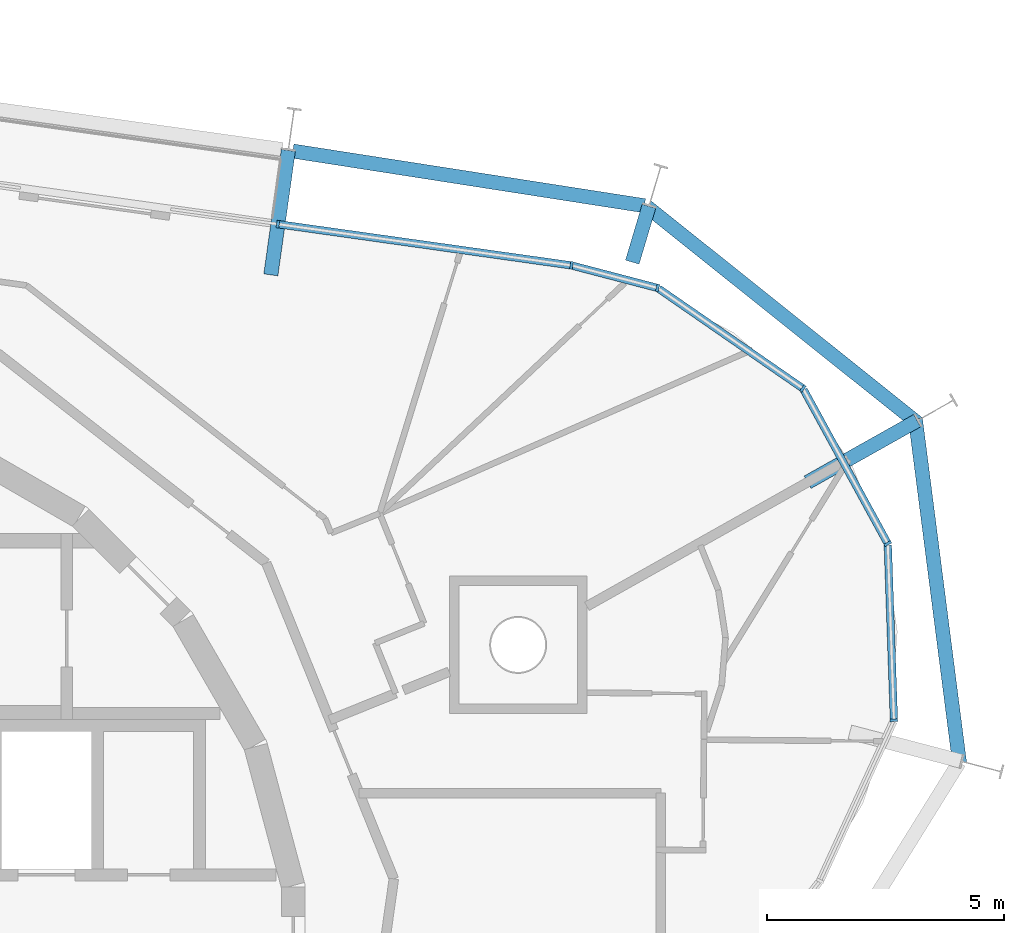
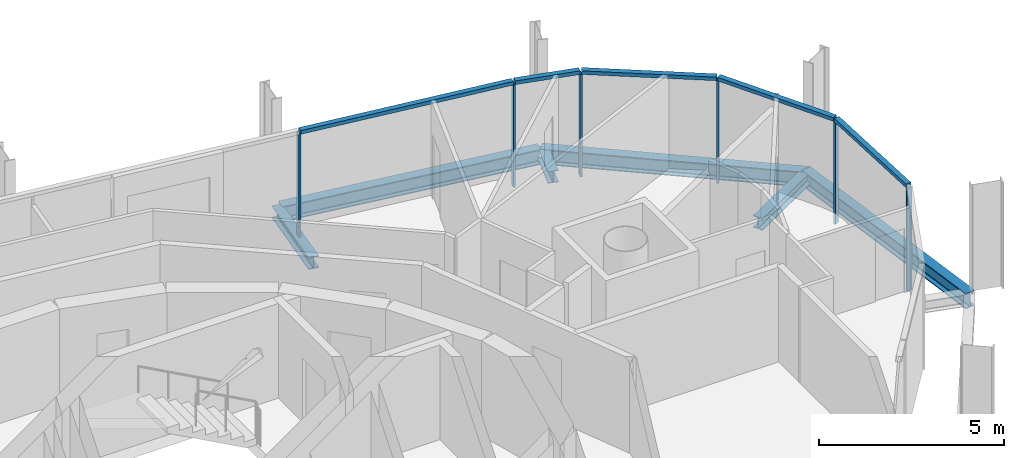
# One storey, part 7 of 15: 11 members, 6 beams, 2 elements without a shape of their own.
"""IFC4 building model written with IfcOpenShell, lengths in metres."""

from ifc_helpers import new_model, si_unit, direction, frame, origin, origin_2d, place, context, subcontext, project, spatial, rectangle, i_section, extrude, material, layer, layer_set, material_profile, profile_set, type_object, element, aggregate, save


model = new_model("IFC4")

# Units and contexts
model_context = context("Model", 3, precision=1e-05, world=origin(), true_north=direction((0.0, 1.0)))
body_context = subcontext(model_context, "Body", "Model", "MODEL_VIEW")
ifc_project = project(units=[si_unit("LENGTHUNIT", "METRE"), si_unit("AREAUNIT", "SQUARE_METRE"), si_unit("VOLUMEUNIT", "CUBIC_METRE"), si_unit("PLANEANGLEUNIT", "RADIAN"), si_unit("MASSUNIT", "GRAM", prefix="KILO")], contexts=[model_context])

# Site, building, storey
site_placement = place(None, origin())
site = spatial("IfcSite", under=ifc_project, at=site_placement, CompositionType="ELEMENT")
building_placement = place(site_placement, origin())
building = spatial("IfcBuilding", under=site, at=building_placement, Name="Spindle Arch Residences", CompositionType="ELEMENT")
storey_placement = place(building_placement, frame((0.0, 0.0, 336.5)))
storey = spatial("IfcBuildingStorey", under=building, at=storey_placement, Name="L86", CompositionType="ELEMENT", Elevation=336.5)

# Curtain wall, members
ifc_material_1 = material(Name="Aluminium bronze unitised frame with tinted glass", Category="aluminium")
ifc_layer_1 = layer(ifc_material_1, 0.159912109375)
ifc_layer_set_1 = layer_set([ifc_layer_1], Name="CW-D corner wall on the fillet arcs")
curtain_wall_type_1 = type_object("IfcCurtainWallType", Name="CW-D corner wall on the fillet arcs", PredefinedType="NOTDEFINED", material=ifc_layer_set_1)
curtain_wall_1_placement = place(storey_placement, origin())
curtain_wall_1 = element("IfcCurtainWall", 1, at=curtain_wall_1_placement, inside=storey, type_object=curtain_wall_type_1, Name="CW-D L86 run 1", PredefinedType="NOTDEFINED")
ifc_material_2 = material(Name="Aluminium bronze anodised mullion", Category="aluminium")
ifc_material_profile_1 = material_profile(ifc_material_2, rectangle(XDim=0.159912109375, YDim=0.06005859375, at=origin_2d()), Name="MU 60x160")
ifc_profile_set_1 = profile_set([ifc_material_profile_1], Name="Aluminium bronze anodised mullion")
member_type_1 = type_object("IfcMemberType", Name="Bronze mullion 60x160", PredefinedType="MULLION", material=ifc_profile_set_1)
member_1_placement = place(storey_placement, frame((24.31201171875, 5.033935546875, -0.3798828125), z_axis=(0.0, 0.0, 1.0), x_axis=(-0.999390827004, -0.034899497139, 0.0)))
member_1 = element("IfcMember", 2, at=member_1_placement, type_object=member_type_1, Name="CW-D mullion 02", PredefinedType="MULLION", context=body_context, shape_type="SweptSolid", body=[
    extrude(rectangle(XDim=0.159912109375, YDim=0.06005859375, at=origin_2d()), origin(), (0.0, 0.0, 1.0), 3.3798828125),
])
member_2_placement = place(storey_placement, frame((24.18212890625, 8.758544921875, -0.3798828125), z_axis=(0.0, 0.0, 1.0), x_axis=(-0.877425397533, -0.479713114021, 0.0)))
member_2 = element("IfcMember", 3, at=member_2_placement, type_object=member_type_1, Name="CW-D mullion 03", PredefinedType="MULLION", context=body_context, shape_type="SweptSolid", body=[
    extrude(rectangle(XDim=0.159912109375, YDim=0.06005859375, at=origin_2d()), origin(), (0.0, 0.0, 1.0), 3.3798828125),
])
member_3_placement = place(storey_placement, frame((22.394287109375, 12.0283203125, -0.3798828125), z_axis=(0.0, 0.0, 1.0), x_axis=(-0.568801123739, -0.822475094841, 0.0)))
member_3 = element("IfcMember", 4, at=member_3_placement, type_object=member_type_1, Name="CW-D mullion 04", PredefinedType="MULLION", context=body_context, shape_type="SweptSolid", body=[
    extrude(rectangle(XDim=0.159912109375, YDim=0.06005859375, at=origin_2d()), origin(), (0.0, 0.0, 1.0), 3.3798828125),
])
member_4_placement = place(storey_placement, frame((19.3291015625, 14.148193359375, -0.3798828125), z_axis=(0.0, 0.0, 1.0), x_axis=(-0.25319517245, -0.967415218326, 0.0)))
member_4 = element("IfcMember", 5, at=member_4_placement, type_object=member_type_1, Name="CW-D mullion 05", PredefinedType="MULLION", context=body_context, shape_type="SweptSolid", body=[
    extrude(rectangle(XDim=0.159912109375, YDim=0.06005859375, at=origin_2d()), origin(), (0.0, 0.0, 1.0), 3.3798828125),
])
member_5_placement = place(storey_placement, frame((17.51416015625, 14.623291015625, -0.3798828125), z_axis=(0.0, 0.0, 1.0), x_axis=(-0.13917310096, -0.990268068742, 0.0)))
member_5 = element("IfcMember", 6, at=member_5_placement, type_object=member_type_1, Name="CW-D mullion 06", PredefinedType="MULLION", context=body_context, shape_type="SweptSolid", body=[
    extrude(rectangle(XDim=0.159912109375, YDim=0.06005859375, at=origin_2d()), origin(), (0.0, 0.0, 1.0), 3.3798828125),
])

# Curtain wall, member
ifc_material_3 = material(Name="Aluminium bronze unitised frame with tinted glass", Category="aluminium")
ifc_layer_2 = layer(ifc_material_3, 0.159912109375)
ifc_layer_set_2 = layer_set([ifc_layer_2], Name="CW-C typical residential unitised wall")
curtain_wall_type_2 = type_object("IfcCurtainWallType", Name="CW-C typical residential unitised wall", PredefinedType="NOTDEFINED", material=ifc_layer_set_2)
curtain_wall_2_placement = place(storey_placement, origin())
curtain_wall_2 = element("IfcCurtainWall", 7, at=curtain_wall_2_placement, inside=storey, type_object=curtain_wall_type_2, Name="CW-C L86 run 2", PredefinedType="NOTDEFINED")
member_6_placement = place(storey_placement, frame((11.326171875, 15.492919921875, -0.3798828125), z_axis=(0.0, 0.0, 1.0), x_axis=(-0.13917310096, -0.990268068742, 0.0)))
member_6 = element("IfcMember", 8, at=member_6_placement, type_object=member_type_1, Name="CW-C mullion 05", PredefinedType="MULLION", context=body_context, shape_type="SweptSolid", body=[
    extrude(rectangle(XDim=0.159912109375, YDim=0.06005859375, at=origin_2d()), origin(), (0.0, 0.0, 1.0), 3.3798828125),
])
aggregate(curtain_wall_2, [member_6])

# Member
ifc_material_4 = material(Name="Aluminium bronze anodised transom", Category="aluminium")
ifc_material_profile_2 = material_profile(ifc_material_4, rectangle(XDim=0.159912109375, YDim=0.1201171875, at=origin_2d()), Name="TR 120x160")
ifc_profile_set_2 = profile_set([ifc_material_profile_2], Name="Aluminium bronze anodised transom")
member_type_2 = type_object("IfcMemberType", Name="Bronze transom 120x160", PredefinedType="USERDEFINED", material=ifc_profile_set_2)
member_7_placement = place(storey_placement, frame((24.31103515625, 5.06396484375, 3.06005859375), z_axis=(-0.034888806725, 0.999391200264, 0.0), x_axis=(-0.999391200264, -0.034888806725, 0.0)))
member_7 = element("IfcMember", 9, at=member_7_placement, type_object=member_type_2, Name="CW-D transom 02", ObjectType="TRANSOM", PredefinedType="USERDEFINED", context=body_context, shape_type="SweptSolid", body=[
    extrude(rectangle(XDim=0.159912109375, YDim=0.1201171875, at=origin_2d()), origin(), (0.0, 0.0, 1.0), 3.666748046875),
])

member_8_placement = place(storey_placement, frame((24.167724609375, 8.784912109375, 3.06005859375), z_axis=(-0.479724247399, 0.877419310511, 0.0), x_axis=(-0.877419310511, -0.479724247399, 0.0)))
member_8 = element("IfcMember", 10, at=member_8_placement, type_object=member_type_2, Name="CW-D transom 03", ObjectType="TRANSOM", PredefinedType="USERDEFINED", context=body_context, shape_type="SweptSolid", body=[
    extrude(rectangle(XDim=0.159912109375, YDim=0.1201171875, at=origin_2d()), origin(), (0.0, 0.0, 1.0), 3.666748046875),
])

member_9_placement = place(storey_placement, frame((22.36962890625, 12.04541015625, 3.06005859375), z_axis=(-0.822474926174, 0.568801367628, 0.0), x_axis=(-0.568801367628, -0.822474926174, 0.0)))
member_9 = element("IfcMember", 11, at=member_9_placement, type_object=member_type_2, Name="CW-D transom 04", ObjectType="TRANSOM", PredefinedType="USERDEFINED", context=body_context, shape_type="SweptSolid", body=[
    extrude(rectangle(XDim=0.159912109375, YDim=0.1201171875, at=origin_2d()), origin(), (0.0, 0.0, 1.0), 3.666748046875),
])

member_10_placement = place(storey_placement, frame((19.300048828125, 14.15576171875, 3.06005859375), z_axis=(-0.96739418578, 0.253275520568, 0.0), x_axis=(-0.253275520568, -0.96739418578, 0.0)))
member_10 = element("IfcMember", 12, at=member_10_placement, type_object=member_type_2, Name="CW-D transom 05", ObjectType="TRANSOM", PredefinedType="USERDEFINED", context=body_context, shape_type="SweptSolid", body=[
    extrude(rectangle(XDim=0.159912109375, YDim=0.1201171875, at=origin_2d()), origin(), (0.0, 0.0, 1.0), 1.816162109375),
])

member_11_placement = place(storey_placement, frame((17.484375, 14.62744140625, 3.06005859375), z_axis=(-0.990267285989, 0.139178670423, 0.0), x_axis=(-0.139178670423, -0.990267285989, 0.0)))
member_11 = element("IfcMember", 13, at=member_11_placement, type_object=member_type_2, Name="CW-D transom 06", ObjectType="TRANSOM", PredefinedType="USERDEFINED", context=body_context, shape_type="SweptSolid", body=[
    extrude(rectangle(XDim=0.159912109375, YDim=0.1201171875, at=origin_2d()), origin(), (0.0, 0.0, 1.0), 6.188720703125),
])

aggregate(curtain_wall_1, [member_1, member_7, member_2, member_8, member_3, member_9, member_4, member_10, member_5, member_11])

# Beams
ifc_material_5 = material(Name="Steel S460ML, intumescent coating R 120", Category="steel")
ifc_material_profile_3 = material_profile(ifc_material_5, i_section(OverallWidth=0.300048828125, OverallDepth=0.5, WebThickness=0.014404296875, FlangeThickness=0.028076171875, FilletRadius=0.027099609375, at=origin_2d()), Name="HEB 500")
ifc_profile_set_3 = profile_set([ifc_material_profile_3], Name="Steel S460ML, intumescent coating R 120")
beam_type_1 = type_object("IfcBeamType", Name="Exoskeleton edge beam HEB 500", PredefinedType="BEAM", material=ifc_profile_set_3)
beam_1_placement = place(storey_placement, frame((25.69580078125, 4.128662109375, -0.6298828125), z_axis=(-0.127344466516, 0.991858551835, 0.0), x_axis=(-0.991858551835, -0.127344466516, 0.0)))
element("IfcBeam", 14, at=beam_1_placement, inside=storey, type_object=beam_type_1, Name="Exoskeleton edge beam 3", PredefinedType="BEAM", context=body_context, shape_type="SweptSolid", body=[
    extrude(i_section(OverallWidth=0.300048828125, OverallDepth=0.5, WebThickness=0.014404296875, FlangeThickness=0.028076171875, FilletRadius=0.027099609375, at=origin_2d()), origin(), (0.0, 0.0, 1.0), 7.31591796875),
])
beam_2_placement = place(storey_placement, frame((24.811279296875, 11.30078125, -0.6298828125), z_axis=(-0.781184527882, 0.624300194937, 0.0), x_axis=(-0.624300194937, -0.781184527882, 0.0)))
element("IfcBeam", 15, at=beam_2_placement, inside=storey, type_object=beam_type_1, Name="Exoskeleton edge beam 4", PredefinedType="BEAM", context=body_context, shape_type="SweptSolid", body=[
    extrude(i_section(OverallWidth=0.300048828125, OverallDepth=0.5, WebThickness=0.014404296875, FlangeThickness=0.028076171875, FilletRadius=0.027099609375, at=origin_2d()), origin(), (0.0, 0.0, 1.0), 7.315673828125),
])
beam_3_placement = place(storey_placement, frame((19.051513671875, 15.881103515625, -0.6298828125), z_axis=(-0.988123169285, 0.15366392655, 0.0), x_axis=(-0.15366392655, -0.988123169285, 0.0)))
element("IfcBeam", 16, at=beam_3_placement, inside=storey, type_object=beam_type_1, Name="Exoskeleton edge beam 5", PredefinedType="BEAM", context=body_context, shape_type="SweptSolid", body=[
    extrude(i_section(OverallWidth=0.300048828125, OverallDepth=0.5, WebThickness=0.014404296875, FlangeThickness=0.028076171875, FilletRadius=0.027099609375, at=origin_2d()), origin(), (0.0, 0.0, 1.0), 7.500732421875),
])
ifc_material_6 = material(Name="Steel S460ML, intumescent coating R 120", Category="steel")
ifc_material_profile_4 = material_profile(ifc_material_6, i_section(OverallWidth=0.300048828125, OverallDepth=0.389892578125, WebThickness=0.010986328125, FlangeThickness=0.01904296875, FilletRadius=0.027099609375, at=origin_2d()), Name="HEA 400")
ifc_profile_set_4 = profile_set([ifc_material_profile_4], Name="Steel S460ML, intumescent coating R 120")
beam_type_2 = type_object("IfcBeamType", Name="Floor outrigger HEA 400", PredefinedType="BEAM", material=ifc_profile_set_4)
beam_4_placement = place(storey_placement, frame((24.801513671875, 11.3505859375, -0.574951171875), z_axis=(-0.871686240554, -0.490064381514, 0.0), x_axis=(0.490064381514, -0.871686240554, 0.0)))
element("IfcBeam", 17, at=beam_4_placement, inside=storey, type_object=beam_type_2, Name="Floor outrigger 4", PredefinedType="BEAM", context=body_context, shape_type="SweptSolid", body=[
    extrude(i_section(OverallWidth=0.300048828125, OverallDepth=0.389892578125, WebThickness=0.010986328125, FlangeThickness=0.01904296875, FilletRadius=0.027099609375, at=origin_2d()), origin(), (0.0, 0.0, 1.0), 2.64990234375),
])
beam_5_placement = place(storey_placement, frame((19.147216796875, 15.869384765625, -0.574951171875), z_axis=(-0.285798722121, -0.958289669377, 0.0), x_axis=(0.958289669377, -0.285798722121, 0.0)))
element("IfcBeam", 18, at=beam_5_placement, inside=storey, type_object=beam_type_2, Name="Floor outrigger 5", PredefinedType="BEAM", context=body_context, shape_type="SweptSolid", body=[
    extrude(i_section(OverallWidth=0.300048828125, OverallDepth=0.389892578125, WebThickness=0.010986328125, FlangeThickness=0.01904296875, FilletRadius=0.027099609375, at=origin_2d()), origin(), (0.0, 0.0, 1.0), 1.229248046875),
])
beam_6_placement = place(storey_placement, frame((11.544921875, 17.047607421875, -0.574951171875), z_axis=(-0.1392026036, -0.990263921968, 0.0), x_axis=(0.990263921968, -0.1392026036, 0.0)))
element("IfcBeam", 19, at=beam_6_placement, inside=storey, type_object=beam_type_2, Name="Floor outrigger 6", PredefinedType="BEAM", context=body_context, shape_type="SweptSolid", body=[
    extrude(i_section(OverallWidth=0.300048828125, OverallDepth=0.389892578125, WebThickness=0.010986328125, FlangeThickness=0.01904296875, FilletRadius=0.027099609375, at=origin_2d()), origin(), (0.0, 0.0, 1.0), 2.650146484375),
])

save(model, "model.ifc")
